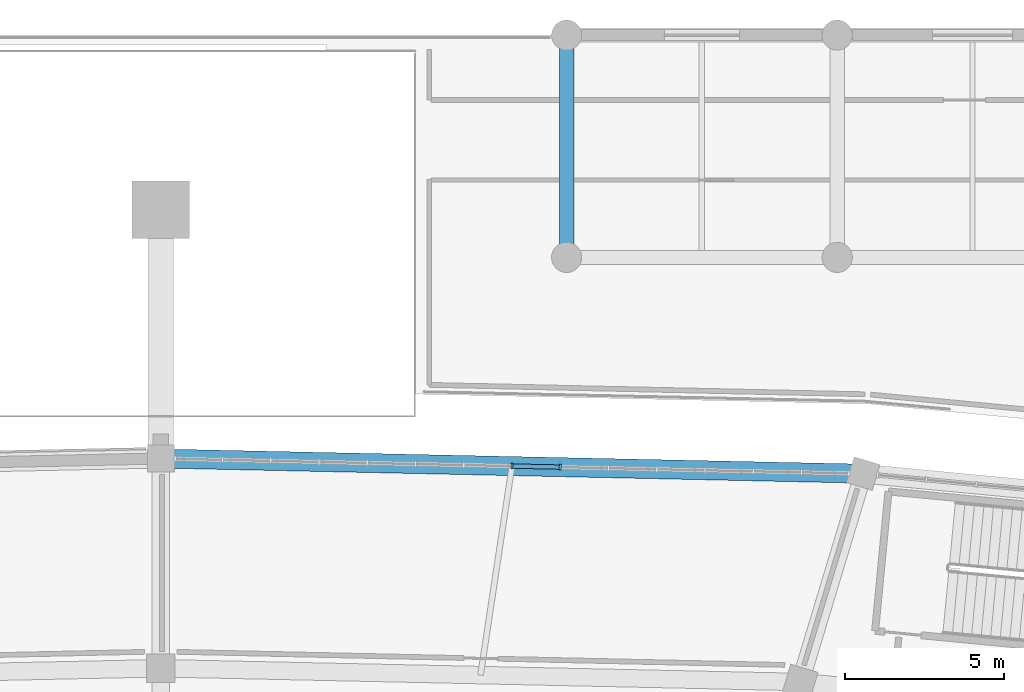
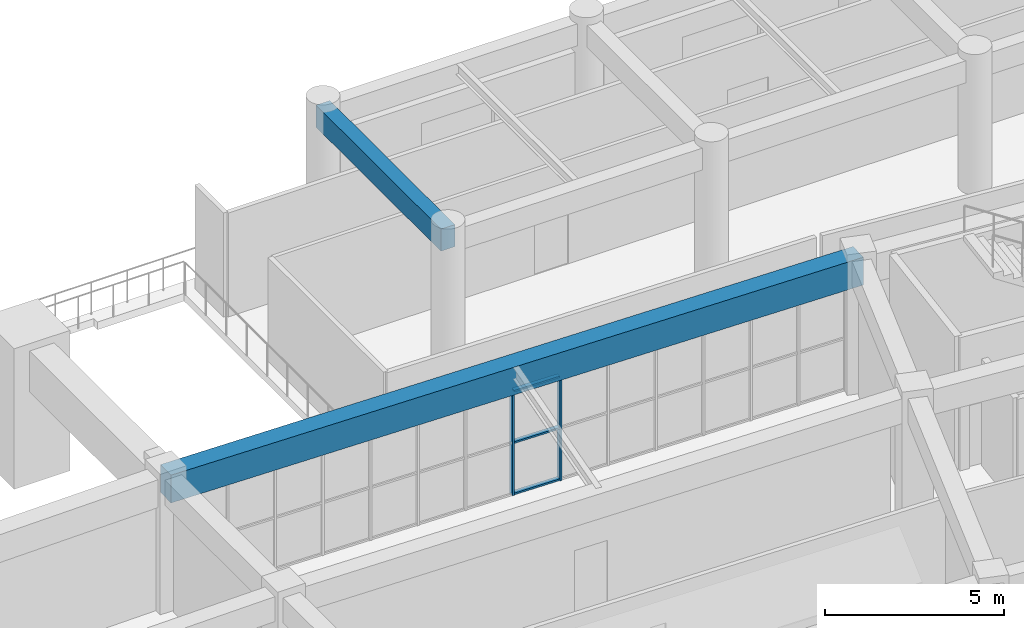
# One storey, part 68 of 152: 5 members, 2 beams, 1 element without a shape of its own.
"""IFC4 building model written with IfcOpenShell, lengths in metres."""

from ifc_helpers import new_model, si_unit, direction, frame, origin, origin_2d, place, context, subcontext, project, spatial, rectangle, extrude, material, layer, layer_set, material_profile, profile_set, type_object, element, aggregate, save


model = new_model("IFC4")

# Units and contexts
model_context = context("Model", 3, precision=1e-05, world=origin(), true_north=direction((0.0, 1.0)))
body_context = subcontext(model_context, "Body", "Model", "MODEL_VIEW")
ifc_project = project(units=[si_unit("LENGTHUNIT", "METRE"), si_unit("AREAUNIT", "SQUARE_METRE"), si_unit("VOLUMEUNIT", "CUBIC_METRE"), si_unit("PLANEANGLEUNIT", "RADIAN"), si_unit("MASSUNIT", "GRAM", prefix="KILO")], contexts=[model_context])

# Site, building, storey
site_placement = place(None, origin())
site = spatial("IfcSite", under=ifc_project, at=site_placement, CompositionType="ELEMENT")
building_placement = place(site_placement, origin())
building = spatial("IfcBuilding", under=site, at=building_placement, Name="Mphavela Belvedere Stadium", CompositionType="ELEMENT")
storey_placement = place(building_placement, frame((0.0, 0.0, 5.39990234375)))
storey = spatial("IfcBuildingStorey", under=building, at=storey_placement, Name="L01", CompositionType="ELEMENT", Elevation=5.39990234375)

# Beams
ifc_material_1 = material(Name="Concrete C40/50", Category="concrete")
ifc_material_profile_1 = material_profile(ifc_material_1, rectangle(XDim=0.60009765625, YDim=0.949951171875, at=origin_2d()), Name="RC 600x950")
ifc_profile_set_1 = profile_set([ifc_material_profile_1], Name="Concrete C40/50")
beam_type_1 = type_object("IfcBeamType", Name="BM-ENTABLATURE-950", PredefinedType="SPANDREL", material=ifc_profile_set_1)
beam_1_placement = place(storey_placement, frame((137.114501953125, 160.19384765625, 4.0751953125), z_axis=(-0.999768359718, 0.021522706765, 0.0), x_axis=(-0.021522706765, -0.999768359718, 0.0)))
element("IfcBeam", 1, at=beam_1_placement, inside=storey, type_object=beam_type_1, Name="Circumferential girder L01 R4-12", PredefinedType="SPANDREL", context=body_context, shape_type="SweptSolid", body=[
    extrude(rectangle(XDim=0.60009765625, YDim=0.949951171875, at=origin_2d()), origin(), (0.0, 0.0, 1.0), 22.11962890625),
])
ifc_material_2 = material(Name="Concrete C40/50", Category="concrete")
ifc_material_profile_2 = material_profile(ifc_material_2, rectangle(XDim=0.449951171875, YDim=0.75, at=origin_2d()), Name="RC 450x750")
ifc_profile_set_2 = profile_set([ifc_material_profile_2], Name="Concrete C40/50")
beam_type_2 = type_object("IfcBeamType", Name="BM-RC450x750", PredefinedType="BEAM", material=ifc_profile_set_2)
beam_2_placement = place(storey_placement, frame((127.778076171875, 167.0, 4.1650390625), z_axis=(0.0, 1.0, 0.0), x_axis=(-1.0, 0.0, 0.0)))
element("IfcBeam", 2, at=beam_2_placement, inside=storey, type_object=beam_type_2, Name="North Mast and Ceremonial End Forecourt entablature beam Y L01 16-7", PredefinedType="BEAM", context=body_context, shape_type="SweptSolid", body=[
    extrude(rectangle(XDim=0.449951171875, YDim=0.75, at=origin_2d()), origin(), (0.0, 0.0, 1.0), 7.0),
])

# Curtain wall, members
ifc_material_3 = material(Name="Anodised bronze unitised curtain wall framing")
ifc_layer = layer(ifc_material_3, 0.179931640625)
ifc_layer_set = layer_set([ifc_layer], Name="Anodised bronze unitised curtain wall framing")
curtain_wall_type = type_object("IfcCurtainWallType", Name="CW-UNIT-01", PredefinedType="USERDEFINED", material=ifc_layer_set)
curtain_wall_placement = place(storey_placement, origin())
curtain_wall = element("IfcCurtainWall", 3, at=curtain_wall_placement, inside=storey, type_object=curtain_wall_type, Name="Belvedere colonnade curtain wall L01-12", ObjectType="UNITISED CURTAIN WALL", PredefinedType="USERDEFINED")
ifc_material_4 = material(Name="Anodised bronze extruded aluminium", Category="aluminium")
ifc_material_profile_3 = material_profile(ifc_material_4, rectangle(XDim=0.179931640625, YDim=0.06494140625, at=origin_2d()), Name="CW-MUL 180x65")
ifc_profile_set_3 = profile_set([ifc_material_profile_3], Name="Anodised bronze extruded aluminium")
member_type_1 = type_object("IfcMemberType", Name="CWM-180x65", PredefinedType="MULLION", material=ifc_profile_set_3)
member_1_placement = place(storey_placement, frame((127.576416015625, 160.399169921875, 0.0), z_axis=(0.0, 0.0, 1.0), x_axis=(-0.021528899038, -0.999768226394, 0.0)))
member_1 = element("IfcMember", 4, at=member_1_placement, type_object=member_type_1, Name="CW-01 mullion 7", PredefinedType="MULLION", context=body_context, shape_type="SweptSolid", body=[
    extrude(rectangle(XDim=0.179931640625, YDim=0.06494140625, at=origin_2d()), origin(), (0.0, 0.0, 1.0), 3.570068359375),
])
member_2_placement = place(storey_placement, frame((126.057373046875, 160.431884765625, 0.0), z_axis=(0.0, 0.0, 1.0), x_axis=(-0.021528899038, -0.999768226394, 0.0)))
member_2 = element("IfcMember", 5, at=member_2_placement, type_object=member_type_1, Name="CW-01 mullion 8", PredefinedType="MULLION", context=body_context, shape_type="SweptSolid", body=[
    extrude(rectangle(XDim=0.179931640625, YDim=0.06494140625, at=origin_2d()), origin(), (0.0, 0.0, 1.0), 3.570068359375),
])
ifc_material_5 = material(Name="Anodised bronze extruded aluminium", Category="aluminium")
ifc_material_profile_4 = material_profile(ifc_material_5, rectangle(XDim=0.139892578125, YDim=0.06005859375, at=origin_2d()), Name="CW-TRN 140x60")
ifc_profile_set_4 = profile_set([ifc_material_profile_4], Name="Anodised bronze extruded aluminium")
member_type_2 = type_object("IfcMemberType", Name="CWT-140x60", PredefinedType="USERDEFINED", material=ifc_profile_set_4)
member_3_placement = place(storey_placement, frame((127.5439453125, 160.39990234375, 0.030029296875), z_axis=(-0.999769149851, 0.021485972327, 0.0), x_axis=(-0.021485972327, -0.999769149851, 0.0)))
member_3 = element("IfcMember", 6, at=member_3_placement, type_object=member_type_2, Name="CW-01 transom 7.1", ObjectType="TRANSOM", PredefinedType="USERDEFINED", context=body_context, shape_type="SweptSolid", body=[
    extrude(rectangle(XDim=0.139892578125, YDim=0.06005859375, at=origin_2d()), origin(), (0.0, 0.0, 1.0), 1.454345703125),
])
member_4_placement = place(storey_placement, frame((127.5439453125, 160.39990234375, 1.78515625), z_axis=(-0.999769149851, 0.021485972327, 0.0), x_axis=(-0.021485972327, -0.999769149851, 0.0)))
member_4 = element("IfcMember", 7, at=member_4_placement, type_object=member_type_2, Name="CW-01 transom 7.2", ObjectType="TRANSOM", PredefinedType="USERDEFINED", context=body_context, shape_type="SweptSolid", body=[
    extrude(rectangle(XDim=0.139892578125, YDim=0.06005859375, at=origin_2d()), origin(), (0.0, 0.0, 1.0), 1.454345703125),
])
member_5_placement = place(storey_placement, frame((127.5439453125, 160.39990234375, 3.5400390625), z_axis=(-0.999769149851, 0.021485972327, 0.0), x_axis=(-0.021485972327, -0.999769149851, 0.0)))
member_5 = element("IfcMember", 8, at=member_5_placement, type_object=member_type_2, Name="CW-01 transom 7.3", ObjectType="TRANSOM", PredefinedType="USERDEFINED", context=body_context, shape_type="SweptSolid", body=[
    extrude(rectangle(XDim=0.139892578125, YDim=0.06005859375, at=origin_2d()), origin(), (0.0, 0.0, 1.0), 1.454345703125),
])
aggregate(curtain_wall, [member_1, member_2, member_3, member_4, member_5])

save(model, "model.ifc")
